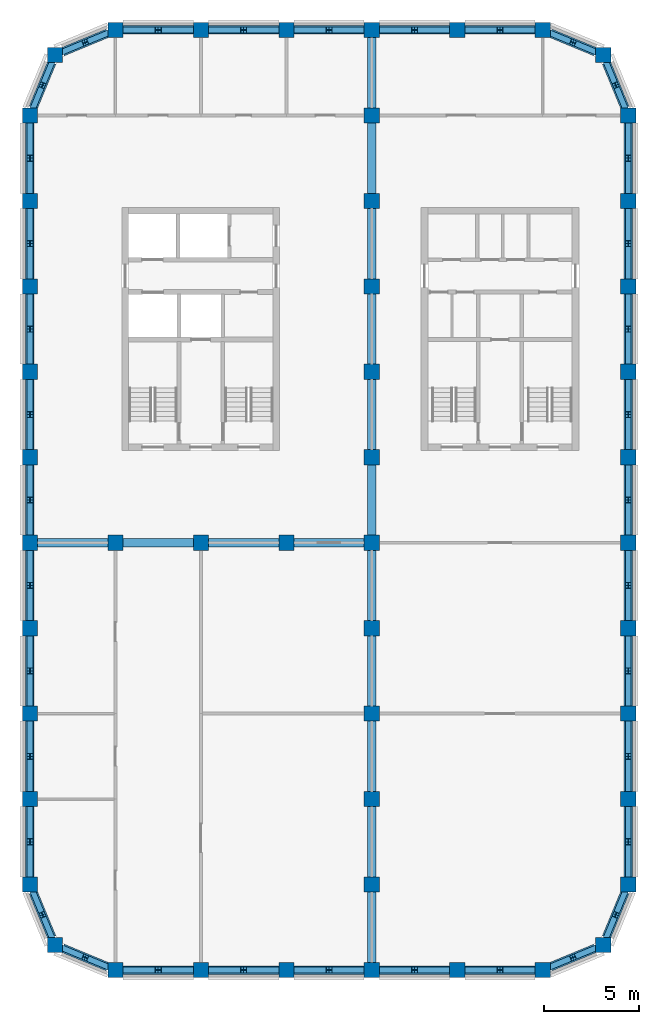
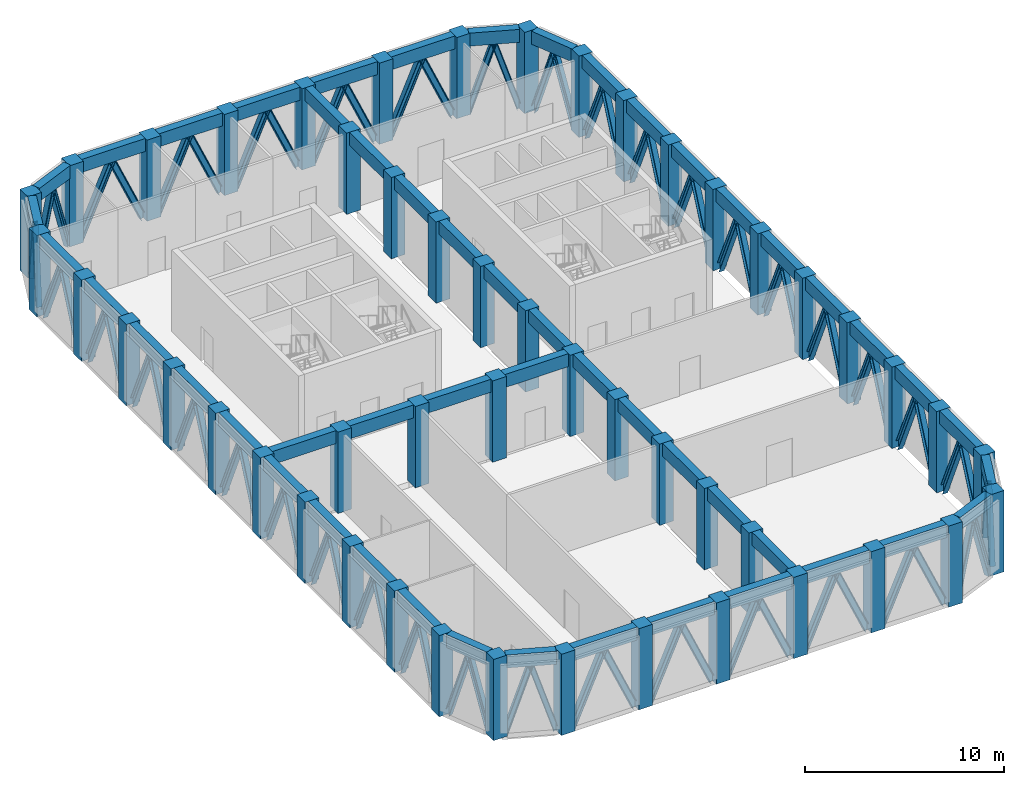
# One storey, part 1 of 7: 72 members, 51 beams, 49 columns.
"""IFC4 building model written with IfcOpenShell, lengths in metres."""

from ifc_helpers import new_model, si_unit, direction, frame, origin, origin_2d, place, context, subcontext, project, spatial, rectangle, i_section, extrude, material, material_profile, profile_set, type_object, element, save


model = new_model("IFC4")

# Units and contexts
model_context = context("Model", 3, precision=1e-05, world=origin(), true_north=direction((0.0, 1.0)))
body_context = subcontext(model_context, "Body", "Model", "MODEL_VIEW")
ifc_project = project(units=[si_unit("LENGTHUNIT", "METRE"), si_unit("AREAUNIT", "SQUARE_METRE"), si_unit("VOLUMEUNIT", "CUBIC_METRE"), si_unit("PLANEANGLEUNIT", "RADIAN"), si_unit("MASSUNIT", "GRAM", prefix="KILO")], contexts=[model_context])

# Site, building, storey
site_placement = place(None, origin())
site = spatial("IfcSite", under=ifc_project, at=site_placement, CompositionType="ELEMENT")
building_placement = place(site_placement, origin())
building = spatial("IfcBuilding", under=site, at=building_placement, Name="Girih Gate Residences", CompositionType="ELEMENT")
storey_placement = place(building_placement, frame((0.0, 0.0, 201.89990234375)))
storey = spatial("IfcBuildingStorey", under=building, at=storey_placement, Name="L56", CompositionType="ELEMENT", Elevation=201.89990234375)

# Columns
ifc_material_1 = material(Name="Concrete C60/75", Category="concrete")
ifc_material_profile_1 = material_profile(ifc_material_1, rectangle(XDim=0.800048828125, YDim=0.800048828125, at=origin_2d()))
ifc_profile_set_1 = profile_set([ifc_material_profile_1], Name="Concrete C60/75")
column_type = type_object("IfcColumnType", Name="Pier RC 800x800 Concrete C60/75", PredefinedType="COLUMN", material=ifc_profile_set_1)
for number, where, z_axis, x_axis, name in (
    (1, (4.5, 0.0, 0.0), (0.0, 0.0, 1.0), (1.0, 0.0, 0.0), "Pier P2A L56"),
    (2, (9.0, 0.0, 0.0), (0.0, 0.0, 1.0), (1.0, 0.0, 0.0), "Pier P3A L56"),
    (3, (13.5, 0.0, 0.0), (0.0, 0.0, 1.0), (1.0, 0.0, 0.0), "Pier P4A L56"),
    (4, (18.0, 0.0, 0.0), (0.0, 0.0, 1.0), (1.0, 0.0, 0.0), "Pier P5A L56"),
    (5, (22.5, 0.0, 0.0), (0.0, 0.0, 1.0), (1.0, 0.0, 0.0), "Pier P6A L56"),
    (6, (27.0, 0.0, 0.0), (0.0, 0.0, 1.0), (1.0, 0.0, 0.0), "Pier P7A L56"),
    (7, (1.318115234375, 1.318115234375, 0.0), (0.0, 0.0, 1.0), (1.0, 0.0, 0.0), "Pier P1ANE L56"),
    (8, (30.181884765625, 1.318115234375, 0.0), (0.0, 0.0, 1.0), (1.0, 0.0, 0.0), "Pier P8ANW L56"),
    (9, (0.0, 4.5, 0.0), (0.0, 0.0, 1.0), (1.0, 0.0, 0.0), "Pier P1B L56"),
    (10, (18.0, 4.5, 0.0), (0.0, 0.0, 1.0), (1.0, 0.0, 0.0), "Pier P5B L56"),
    (11, (31.5, 4.5, 0.0), (0.0, 0.0, 1.0), (1.0, 0.0, 0.0), "Pier P8B L56"),
    (12, (0.0, 9.0, 0.0), (0.0, 0.0, 1.0), (1.0, 0.0, 0.0), "Pier P1C L56"),
    (13, (18.0, 9.0, 0.0), (0.0, 0.0, 1.0), (1.0, 0.0, 0.0), "Pier P5C L56"),
    (14, (31.5, 9.0, 0.0), (0.0, 0.0, 1.0), (1.0, 0.0, 0.0), "Pier P8C L56"),
    (15, (0.0, 13.5, 0.0), (0.0, 0.0, 1.0), (1.0, 0.0, 0.0), "Pier P1D L56"),
    (16, (18.0, 13.5, 0.0), (0.0, 0.0, 1.0), (1.0, 0.0, 0.0), "Pier P5D L56"),
    (17, (31.5, 13.5, 0.0), (0.0, 0.0, 1.0), (1.0, 0.0, 0.0), "Pier P8D L56"),
    (18, (0.0, 18.0, 0.0), (0.0, 0.0, 1.0), (1.0, 0.0, 0.0), "Pier P1E L56"),
    (19, (18.0, 18.0, 0.0), (0.0, 0.0, 1.0), (1.0, 0.0, 0.0), "Pier P5E L56"),
    (20, (31.5, 18.0, 0.0), (0.0, 0.0, 1.0), (1.0, 0.0, 0.0), "Pier P8E L56"),
    (21, (0.0, 22.5, 0.0), (0.0, 0.0, 1.0), (1.0, 0.0, 0.0), "Pier P1F L56"),
    (22, (4.5, 22.5, 0.0), (0.0, 0.0, 1.0), (1.0, 0.0, 0.0), "Pier P2F L56"),
    (23, (9.0, 22.5, 0.0), (0.0, 0.0, 1.0), (1.0, 0.0, 0.0), "Pier P3F L56"),
    (24, (13.5, 22.5, 0.0), (0.0, 0.0, 1.0), (1.0, 0.0, 0.0), "Pier P4F L56"),
    (25, (18.0, 22.5, 0.0), (0.0, 0.0, 1.0), (1.0, 0.0, 0.0), "Pier P5F L56"),
    (26, (31.5, 22.5, 0.0), (0.0, 0.0, 1.0), (1.0, 0.0, 0.0), "Pier P8F L56"),
    (27, (0.0, 27.0, 0.0), (0.0, 0.0, 1.0), (1.0, 0.0, 0.0), "Pier P1G L56"),
    (28, (18.0, 27.0, 0.0), (0.0, 0.0, 1.0), (1.0, 0.0, 0.0), "Pier P5G L56"),
    (29, (31.5, 27.0, 0.0), (0.0, 0.0, 1.0), (1.0, 0.0, 0.0), "Pier P8G L56"),
    (30, (0.0, 31.5, 0.0), (0.0, 0.0, 1.0), (1.0, 0.0, 0.0), "Pier P1H L56"),
    (31, (18.0, 31.5, 0.0), (0.0, 0.0, 1.0), (1.0, 0.0, 0.0), "Pier P5H L56"),
    (32, (31.5, 31.5, 0.0), (0.0, 0.0, 1.0), (1.0, 0.0, 0.0), "Pier P8H L56"),
    (33, (0.0, 36.0, 0.0), (0.0, 0.0, 1.0), (1.0, 0.0, 0.0), "Pier P1I L56"),
    (34, (18.0, 36.0, 0.0), (0.0, 0.0, 1.0), (1.0, 0.0, 0.0), "Pier P5I L56"),
    (35, (31.5, 36.0, 0.0), (0.0, 0.0, 1.0), (1.0, 0.0, 0.0), "Pier P8I L56"),
    (36, (0.0, 40.5, 0.0), (0.0, 0.0, 1.0), (1.0, 0.0, 0.0), "Pier P1J L56"),
    (37, (18.0, 40.5, 0.0), (0.0, 0.0, 1.0), (1.0, 0.0, 0.0), "Pier P5J L56"),
    (38, (31.5, 40.5, 0.0), (0.0, 0.0, 1.0), (1.0, 0.0, 0.0), "Pier P8J L56"),
    (39, (0.0, 45.0, 0.0), (0.0, 0.0, 1.0), (1.0, 0.0, 0.0), "Pier P1K L56"),
    (40, (18.0, 45.0, 0.0), (0.0, 0.0, 1.0), (1.0, 0.0, 0.0), "Pier P5K L56"),
    (41, (31.5, 45.0, 0.0), (0.0, 0.0, 1.0), (1.0, 0.0, 0.0), "Pier P8K L56"),
    (42, (1.318115234375, 48.181884765625, 0.0), (0.0, 0.0, 1.0), (1.0, 0.0, 0.0), "Pier P1LSE L56"),
    (43, (30.181884765625, 48.181884765625, 0.0), (0.0, 0.0, 1.0), (1.0, 0.0, 0.0), "Pier P8LSW L56"),
    (44, (4.5, 49.5, 0.0), (0.0, 0.0, 1.0), (1.0, 0.0, 0.0), "Pier P2L L56"),
    (45, (9.0, 49.5, 0.0), (0.0, 0.0, 1.0), (1.0, 0.0, 0.0), "Pier P3L L56"),
    (46, (13.5, 49.5, 0.0), (0.0, 0.0, 1.0), (1.0, 0.0, 0.0), "Pier P4L L56"),
    (47, (18.0, 49.5, 0.0), (0.0, 0.0, 1.0), (1.0, 0.0, 0.0), "Pier P5L L56"),
    (48, (22.5, 49.5, 0.0), (0.0, 0.0, 1.0), (1.0, 0.0, 0.0), "Pier P6L L56"),
    (49, (27.0, 49.5, 0.0), (0.0, 0.0, 1.0), (1.0, 0.0, 0.0), "Pier P7L L56"),
):
    element("IfcColumn", number, at=place(storey_placement, frame(where, z_axis=z_axis, x_axis=x_axis)), inside=storey, type_object=column_type, Name=name, PredefinedType="COLUMN", context=body_context, shape_type="SweptSolid", body=[
        extrude(rectangle(XDim=0.800048828125, YDim=0.800048828125, at=origin_2d()), origin(), (0.0, 0.0, 1.0), 4.9951171875),
    ])

# Members
ifc_material_2 = material(Name="Steel S460", Category="steel")
ifc_material_profile_2 = material_profile(ifc_material_2, i_section(OverallWidth=0.300048828125, OverallDepth=0.300048828125, WebThickness=0.010986328125, FlangeThickness=0.01904296875, FilletRadius=0.027099609375, at=origin_2d()))
ifc_profile_set_2 = profile_set([ifc_material_profile_2], Name="Steel S460")
member_type_1 = type_object("IfcMemberType", Name="Belt truss diagonal HE 300 B Steel S460", PredefinedType="BRACE", material=ifc_profile_set_2)
member_1_placement = place(storey_placement, frame((27.372314453125, 0.154296875, 0.0), z_axis=(0.277141777379, 0.114754017196, 0.953951754948), x_axis=(-0.382564297979, 0.923928870591, 0.0)))
element("IfcMember", 50, at=member_1_placement, inside=storey, type_object=member_type_1, Name="Belt truss BT5 L56 SE0270_0000.0-1", PredefinedType="BRACE", context=body_context, shape_type="SweptSolid", body=[
    extrude(i_section(OverallWidth=0.300048828125, OverallDepth=0.300048828125, WebThickness=0.010986328125, FlangeThickness=0.01904296875, FilletRadius=0.027099609375, at=origin_2d()), origin(), (0.0, 0.0, 1.0), 4.3974609375),
])
for number, where, z_axis, x_axis, name in (
    (51, (29.809814453125, 1.163818359375, 0.0), (-0.277140011348, -0.114808802778, 0.953945676081), (0.382722275359, -0.92386344226, 0.0), "Belt truss BT5 L56 SE0270_0000.0-2"),
    (52, (30.336181640625, 1.690185546875, 0.0), (0.114808802778, 0.277140011348, 0.953945676081), (-0.92386344226, 0.382722275359, 0.0), "Belt truss BT5 L56 SE0302_0013.0-1"),
):
    element("IfcMember", number, at=place(storey_placement, frame(where, z_axis=z_axis, x_axis=x_axis)), inside=storey, type_object=member_type_1, Name=name, PredefinedType="BRACE", context=body_context, shape_type="SweptSolid", body=[
        extrude(i_section(OverallWidth=0.300048828125, OverallDepth=0.300048828125, WebThickness=0.010986328125, FlangeThickness=0.01904296875, FilletRadius=0.027099609375, at=origin_2d()), origin(), (0.0, 0.0, 1.0), 4.397705078125),
    ])
for number, where, z_axis, x_axis, name in (
    (53, (31.345703125, 4.127685546875, 0.0), (-0.114754017196, -0.277141777379, 0.953951754948), (0.923928870591, -0.382564297979, 0.0), "Belt truss BT5 L56 SE0302_0013.0-2"),
    (54, (31.345703125, 45.372314453125, 0.0), (-0.114754017196, 0.277141777379, 0.953951754948), (-0.923928870591, -0.382564297979, 0.0), "Belt truss BT5 L56 NE0315_0450.0-1"),
):
    element("IfcMember", number, at=place(storey_placement, frame(where, z_axis=z_axis, x_axis=x_axis)), inside=storey, type_object=member_type_1, Name=name, PredefinedType="BRACE", context=body_context, shape_type="SweptSolid", body=[
        extrude(i_section(OverallWidth=0.300048828125, OverallDepth=0.300048828125, WebThickness=0.010986328125, FlangeThickness=0.01904296875, FilletRadius=0.027099609375, at=origin_2d()), origin(), (0.0, 0.0, 1.0), 4.3974609375),
    ])
for number, where, z_axis, x_axis, name in (
    (55, (30.336181640625, 47.809814453125, 0.0), (0.114808802778, -0.277140011348, 0.953945676081), (0.92386344226, 0.382722275359, 0.0), "Belt truss BT5 L56 NE0315_0450.0-2"),
    (56, (29.809814453125, 48.336181640625, 0.0), (-0.277140011348, 0.114808802778, 0.953945676081), (-0.382722275359, -0.92386344226, 0.0), "Belt truss BT5 L56 NE0302_0482.0-1"),
):
    element("IfcMember", number, at=place(storey_placement, frame(where, z_axis=z_axis, x_axis=x_axis)), inside=storey, type_object=member_type_1, Name=name, PredefinedType="BRACE", context=body_context, shape_type="SweptSolid", body=[
        extrude(i_section(OverallWidth=0.300048828125, OverallDepth=0.300048828125, WebThickness=0.010986328125, FlangeThickness=0.01904296875, FilletRadius=0.027099609375, at=origin_2d()), origin(), (0.0, 0.0, 1.0), 4.397705078125),
    ])
for number, where, z_axis, x_axis, name in (
    (57, (27.372314453125, 49.345703125, 0.0), (0.277141777379, -0.114754017196, 0.953951754948), (0.382564297979, 0.923928870591, 0.0), "Belt truss BT5 L56 NE0302_0482.0-2"),
    (58, (4.127685546875, 49.345703125, 0.0), (-0.277141777379, -0.114754017196, 0.953951754948), (0.382564297979, -0.923928870591, 0.0), "Belt truss BT5 L56 NW0045_0495.0-1"),
):
    element("IfcMember", number, at=place(storey_placement, frame(where, z_axis=z_axis, x_axis=x_axis)), inside=storey, type_object=member_type_1, Name=name, PredefinedType="BRACE", context=body_context, shape_type="SweptSolid", body=[
        extrude(i_section(OverallWidth=0.300048828125, OverallDepth=0.300048828125, WebThickness=0.010986328125, FlangeThickness=0.01904296875, FilletRadius=0.027099609375, at=origin_2d()), origin(), (0.0, 0.0, 1.0), 4.3974609375),
    ])
for number, where, z_axis, x_axis, name in (
    (59, (1.690185546875, 48.336181640625, 0.0), (0.277140011348, 0.114808802778, 0.953945676081), (-0.382722275359, 0.92386344226, 0.0), "Belt truss BT5 L56 NW0045_0495.0-2"),
    (60, (1.163818359375, 47.809814453125, 0.0), (-0.114808802778, -0.277140011348, 0.953945676081), (0.92386344226, -0.382722275359, 0.0), "Belt truss BT5 L56 NW0013_0482.0-1"),
):
    element("IfcMember", number, at=place(storey_placement, frame(where, z_axis=z_axis, x_axis=x_axis)), inside=storey, type_object=member_type_1, Name=name, PredefinedType="BRACE", context=body_context, shape_type="SweptSolid", body=[
        extrude(i_section(OverallWidth=0.300048828125, OverallDepth=0.300048828125, WebThickness=0.010986328125, FlangeThickness=0.01904296875, FilletRadius=0.027099609375, at=origin_2d()), origin(), (0.0, 0.0, 1.0), 4.397705078125),
    ])
for number, where, z_axis, x_axis, name in (
    (61, (0.154296875, 45.372314453125, 0.0), (0.114754017196, 0.277141777379, 0.953951754948), (-0.923928870591, 0.382564297979, 0.0), "Belt truss BT5 L56 NW0013_0482.0-2"),
    (62, (0.154296875, 4.127685546875, 0.0), (0.114754017196, -0.277141777379, 0.953951754948), (0.923928870591, 0.382564297979, 0.0), "Belt truss BT5 L56 SW0000_0045.0-1"),
):
    element("IfcMember", number, at=place(storey_placement, frame(where, z_axis=z_axis, x_axis=x_axis)), inside=storey, type_object=member_type_1, Name=name, PredefinedType="BRACE", context=body_context, shape_type="SweptSolid", body=[
        extrude(i_section(OverallWidth=0.300048828125, OverallDepth=0.300048828125, WebThickness=0.010986328125, FlangeThickness=0.01904296875, FilletRadius=0.027099609375, at=origin_2d()), origin(), (0.0, 0.0, 1.0), 4.3974609375),
    ])
for number, where, z_axis, x_axis, name in (
    (63, (1.163818359375, 1.690185546875, 0.0), (-0.114808802778, 0.277140011348, 0.953945676081), (-0.92386344226, -0.382722275359, 0.0), "Belt truss BT5 L56 SW0000_0045.0-2"),
    (64, (1.690185546875, 1.163818359375, 0.0), (0.277140011348, -0.114808802778, 0.953945676081), (0.382722275359, 0.92386344226, 0.0), "Belt truss BT5 L56 SW0013_0013.0-1"),
):
    element("IfcMember", number, at=place(storey_placement, frame(where, z_axis=z_axis, x_axis=x_axis)), inside=storey, type_object=member_type_1, Name=name, PredefinedType="BRACE", context=body_context, shape_type="SweptSolid", body=[
        extrude(i_section(OverallWidth=0.300048828125, OverallDepth=0.300048828125, WebThickness=0.010986328125, FlangeThickness=0.01904296875, FilletRadius=0.027099609375, at=origin_2d()), origin(), (0.0, 0.0, 1.0), 4.397705078125),
    ])
member_2_placement = place(storey_placement, frame((4.127685546875, 0.154296875, 0.0), z_axis=(-0.277141777379, 0.114754017196, 0.953951754948), x_axis=(-0.382564297979, -0.923928870591, 0.0)))
element("IfcMember", 65, at=member_2_placement, inside=storey, type_object=member_type_1, Name="Belt truss BT5 L56 SW0013_0013.0-2", PredefinedType="BRACE", context=body_context, shape_type="SweptSolid", body=[
    extrude(i_section(OverallWidth=0.300048828125, OverallDepth=0.300048828125, WebThickness=0.010986328125, FlangeThickness=0.01904296875, FilletRadius=0.027099609375, at=origin_2d()), origin(), (0.0, 0.0, 1.0), 4.3974609375),
])
ifc_material_profile_3 = material_profile(ifc_material_2, i_section(OverallWidth=0.300048828125, OverallDepth=0.360107421875, WebThickness=0.012451171875, FlangeThickness=0.0224609375, FilletRadius=0.027099609375, at=origin_2d()))
ifc_profile_set_3 = profile_set([ifc_material_profile_3], Name="Steel S460")
member_type_2 = type_object("IfcMemberType", Name="Belt truss diagonal HE 360 B Steel S460", PredefinedType="BRACE", material=ifc_profile_set_3)
for number, where, z_axis, x_axis, name in (
    (66, (31.5, 4.89990234375, 0.0), (0.0, 0.403518282473, 0.914971581914), (-1.0, 0.0, 0.0), "Belt truss BT4 L56 E0315_0045.0-1"),
    (67, (31.5, 8.60009765625, 0.0), (0.0, -0.403518282473, 0.914971581914), (1.0, 0.0, 0.0), "Belt truss BT4 L56 E0315_0045.0-2"),
    (68, (31.5, 9.39990234375, 0.0), (0.0, 0.403518282473, 0.914971581914), (-1.0, 0.0, 0.0), "Belt truss BT4 L56 E0315_0045.1-1"),
    (69, (31.5, 13.10009765625, 0.0), (0.0, -0.403518282473, 0.914971581914), (1.0, 0.0, 0.0), "Belt truss BT4 L56 E0315_0045.1-2"),
    (70, (31.5, 13.89990234375, 0.0), (0.0, 0.403518282473, 0.914971581914), (-1.0, 0.0, 0.0), "Belt truss BT4 L56 E0315_0045.2-1"),
    (71, (31.5, 17.60009765625, 0.0), (0.0, -0.403518282473, 0.914971581914), (1.0, 0.0, 0.0), "Belt truss BT4 L56 E0315_0045.2-2"),
    (72, (31.5, 18.39990234375, 0.0), (0.0, 0.403518282473, 0.914971581914), (-1.0, 0.0, 0.0), "Belt truss BT4 L56 E0315_0045.3-1"),
    (73, (31.5, 22.10009765625, 0.0), (0.0, -0.403518282473, 0.914971581914), (1.0, 0.0, 0.0), "Belt truss BT4 L56 E0315_0045.3-2"),
    (74, (31.5, 22.89990234375, 0.0), (0.0, 0.403518282473, 0.914971581914), (-1.0, 0.0, 0.0), "Belt truss BT4 L56 E0315_0045.4-1"),
    (75, (31.5, 26.60009765625, 0.0), (0.0, -0.403518282473, 0.914971581914), (1.0, 0.0, 0.0), "Belt truss BT4 L56 E0315_0045.4-2"),
    (76, (31.5, 27.39990234375, 0.0), (0.0, 0.403518282473, 0.914971581914), (-1.0, 0.0, 0.0), "Belt truss BT4 L56 E0315_0045.5-1"),
    (77, (31.5, 31.10009765625, 0.0), (0.0, -0.403518282473, 0.914971581914), (1.0, 0.0, 0.0), "Belt truss BT4 L56 E0315_0045.5-2"),
    (78, (31.5, 31.89990234375, 0.0), (0.0, 0.403518282473, 0.914971581914), (-1.0, 0.0, 0.0), "Belt truss BT4 L56 E0315_0045.6-1"),
    (79, (31.5, 35.60009765625, 0.0), (0.0, -0.403518282473, 0.914971581914), (1.0, 0.0, 0.0), "Belt truss BT4 L56 E0315_0045.6-2"),
    (80, (31.5, 36.39990234375, 0.0), (0.0, 0.403518282473, 0.914971581914), (-1.0, 0.0, 0.0), "Belt truss BT4 L56 E0315_0045.7-1"),
    (81, (31.5, 40.10009765625, 0.0), (0.0, -0.403518282473, 0.914971581914), (1.0, 0.0, 0.0), "Belt truss BT4 L56 E0315_0045.7-2"),
    (82, (31.5, 40.89990234375, 0.0), (0.0, 0.403518282473, 0.914971581914), (-1.0, 0.0, 0.0), "Belt truss BT4 L56 E0315_0045.8-1"),
    (83, (31.5, 44.60009765625, 0.0), (0.0, -0.403518282473, 0.914971581914), (1.0, 0.0, 0.0), "Belt truss BT4 L56 E0315_0045.8-2"),
    (84, (26.60009765625, 49.5, 0.0), (-0.403518282473, 0.0, 0.914971581914), (0.0, -1.0, 0.0), "Belt truss BT4 L56 N0270_0495.0-1"),
    (85, (22.89990234375, 49.5, 0.0), (0.403518282473, 0.0, 0.914971581914), (0.0, 1.0, 0.0), "Belt truss BT4 L56 N0270_0495.0-2"),
    (86, (22.10009765625, 49.5, 0.0), (-0.403518282473, 0.0, 0.914971581914), (0.0, -1.0, 0.0), "Belt truss BT4 L56 N0270_0495.1-1"),
    (87, (18.39990234375, 49.5, 0.0), (0.403518282473, 0.0, 0.914971581914), (0.0, 1.0, 0.0), "Belt truss BT4 L56 N0270_0495.1-2"),
    (88, (17.60009765625, 49.5, 0.0), (-0.403518282473, 0.0, 0.914971581914), (0.0, -1.0, 0.0), "Belt truss BT4 L56 N0270_0495.2-1"),
    (89, (13.89990234375, 49.5, 0.0), (0.403518282473, 0.0, 0.914971581914), (0.0, 1.0, 0.0), "Belt truss BT4 L56 N0270_0495.2-2"),
    (90, (13.10009765625, 49.5, 0.0), (-0.403518282473, 0.0, 0.914971581914), (0.0, -1.0, 0.0), "Belt truss BT4 L56 N0270_0495.3-1"),
    (91, (9.39990234375, 49.5, 0.0), (0.403518282473, 0.0, 0.914971581914), (0.0, 1.0, 0.0), "Belt truss BT4 L56 N0270_0495.3-2"),
    (92, (8.60009765625, 49.5, 0.0), (-0.403518282473, 0.0, 0.914971581914), (0.0, -1.0, 0.0), "Belt truss BT4 L56 N0270_0495.4-1"),
    (93, (4.89990234375, 49.5, 0.0), (0.403518282473, 0.0, 0.914971581914), (0.0, 1.0, 0.0), "Belt truss BT4 L56 N0270_0495.4-2"),
    (94, (0.0, 44.60009765625, 0.0), (0.0, -0.403518282473, 0.914971581914), (1.0, 0.0, 0.0), "Belt truss BT4 L56 W0000_0450.0-1"),
    (95, (0.0, 40.89990234375, 0.0), (0.0, 0.403518282473, 0.914971581914), (-1.0, 0.0, 0.0), "Belt truss BT4 L56 W0000_0450.0-2"),
    (96, (0.0, 40.10009765625, 0.0), (0.0, -0.403518282473, 0.914971581914), (1.0, 0.0, 0.0), "Belt truss BT4 L56 W0000_0450.1-1"),
    (97, (0.0, 36.39990234375, 0.0), (0.0, 0.403518282473, 0.914971581914), (-1.0, 0.0, 0.0), "Belt truss BT4 L56 W0000_0450.1-2"),
    (98, (0.0, 35.60009765625, 0.0), (0.0, -0.403518282473, 0.914971581914), (1.0, 0.0, 0.0), "Belt truss BT4 L56 W0000_0450.2-1"),
    (99, (0.0, 31.89990234375, 0.0), (0.0, 0.403518282473, 0.914971581914), (-1.0, 0.0, 0.0), "Belt truss BT4 L56 W0000_0450.2-2"),
    (100, (0.0, 31.10009765625, 0.0), (0.0, -0.403518282473, 0.914971581914), (1.0, 0.0, 0.0), "Belt truss BT4 L56 W0000_0450.3-1"),
    (101, (0.0, 27.39990234375, 0.0), (0.0, 0.403518282473, 0.914971581914), (-1.0, 0.0, 0.0), "Belt truss BT4 L56 W0000_0450.3-2"),
    (102, (0.0, 26.60009765625, 0.0), (0.0, -0.403518282473, 0.914971581914), (1.0, 0.0, 0.0), "Belt truss BT4 L56 W0000_0450.4-1"),
    (103, (0.0, 22.89990234375, 0.0), (0.0, 0.403518282473, 0.914971581914), (-1.0, 0.0, 0.0), "Belt truss BT4 L56 W0000_0450.4-2"),
    (104, (0.0, 22.10009765625, 0.0), (0.0, -0.403518282473, 0.914971581914), (1.0, 0.0, 0.0), "Belt truss BT4 L56 W0000_0450.5-1"),
    (105, (0.0, 18.39990234375, 0.0), (0.0, 0.403518282473, 0.914971581914), (-1.0, 0.0, 0.0), "Belt truss BT4 L56 W0000_0450.5-2"),
    (106, (0.0, 17.60009765625, 0.0), (0.0, -0.403518282473, 0.914971581914), (1.0, 0.0, 0.0), "Belt truss BT4 L56 W0000_0450.6-1"),
    (107, (0.0, 13.89990234375, 0.0), (0.0, 0.403518282473, 0.914971581914), (-1.0, 0.0, 0.0), "Belt truss BT4 L56 W0000_0450.6-2"),
    (108, (0.0, 13.10009765625, 0.0), (0.0, -0.403518282473, 0.914971581914), (1.0, 0.0, 0.0), "Belt truss BT4 L56 W0000_0450.7-1"),
    (109, (0.0, 9.39990234375, 0.0), (0.0, 0.403518282473, 0.914971581914), (-1.0, 0.0, 0.0), "Belt truss BT4 L56 W0000_0450.7-2"),
    (110, (0.0, 8.60009765625, 0.0), (0.0, -0.403518282473, 0.914971581914), (1.0, 0.0, 0.0), "Belt truss BT4 L56 W0000_0450.8-1"),
    (111, (0.0, 4.89990234375, 0.0), (0.0, 0.403518282473, 0.914971581914), (-1.0, 0.0, 0.0), "Belt truss BT4 L56 W0000_0450.8-2"),
    (112, (4.89990234375, 0.0, 0.0), (0.403518282473, 0.0, 0.914971581914), (0.0, 1.0, 0.0), "Belt truss BT4 L56 S0045_0000.0-1"),
    (113, (8.60009765625, 0.0, 0.0), (-0.403518282473, 0.0, 0.914971581914), (0.0, -1.0, 0.0), "Belt truss BT4 L56 S0045_0000.0-2"),
    (114, (9.39990234375, 0.0, 0.0), (0.403518282473, 0.0, 0.914971581914), (0.0, 1.0, 0.0), "Belt truss BT4 L56 S0045_0000.1-1"),
    (115, (13.10009765625, 0.0, 0.0), (-0.403518282473, 0.0, 0.914971581914), (0.0, -1.0, 0.0), "Belt truss BT4 L56 S0045_0000.1-2"),
    (116, (13.89990234375, 0.0, 0.0), (0.403518282473, 0.0, 0.914971581914), (0.0, 1.0, 0.0), "Belt truss BT4 L56 S0045_0000.2-1"),
    (117, (17.60009765625, 0.0, 0.0), (-0.403518282473, 0.0, 0.914971581914), (0.0, -1.0, 0.0), "Belt truss BT4 L56 S0045_0000.2-2"),
    (118, (18.39990234375, 0.0, 0.0), (0.403518282473, 0.0, 0.914971581914), (0.0, 1.0, 0.0), "Belt truss BT4 L56 S0045_0000.3-1"),
    (119, (22.10009765625, 0.0, 0.0), (-0.403518282473, 0.0, 0.914971581914), (0.0, -1.0, 0.0), "Belt truss BT4 L56 S0045_0000.3-2"),
    (120, (22.89990234375, 0.0, 0.0), (0.403518282473, 0.0, 0.914971581914), (0.0, 1.0, 0.0), "Belt truss BT4 L56 S0045_0000.4-1"),
    (121, (26.60009765625, 0.0, 0.0), (-0.403518282473, 0.0, 0.914971581914), (0.0, -1.0, 0.0), "Belt truss BT4 L56 S0045_0000.4-2"),
):
    element("IfcMember", number, at=place(storey_placement, frame(where, z_axis=z_axis, x_axis=x_axis)), inside=storey, type_object=member_type_2, Name=name, PredefinedType="BRACE", context=body_context, shape_type="SweptSolid", body=[
        extrude(i_section(OverallWidth=0.300048828125, OverallDepth=0.360107421875, WebThickness=0.012451171875, FlangeThickness=0.0224609375, FilletRadius=0.027099609375, at=origin_2d()), origin(), (0.0, 0.0, 1.0), 4.5849609375),
    ])

# Beams
ifc_material_profile_4 = material_profile(ifc_material_1, rectangle(XDim=0.449951171875, YDim=0.800048828125, at=origin_2d()))
ifc_profile_set_4 = profile_set([ifc_material_profile_4], Name="Concrete C60/75")
beam_type = type_object("IfcBeamType", Name="Spandrel girder RC 450x800 Concrete C60/75", PredefinedType="BEAM", material=ifc_profile_set_4)
for number, where, z_axis, x_axis, name in (
    (122, (27.39990234375, 0.165771484375, 4.59521484375), (0.923895659062, 0.382644497107, 0.0), (-0.382644497107, 0.923895659062, 0.0), "Spandrel girder SP-P7A-P8ANW L56"),
    (123, (30.34765625, 1.718017578125, 4.59521484375), (0.382644497107, 0.923895659062, 0.0), (-0.923895659062, 0.382644497107, 0.0), "Spandrel girder SP-P8ANW-P8B L56"),
):
    element("IfcBeam", number, at=place(storey_placement, frame(where, z_axis=z_axis, x_axis=x_axis)), inside=storey, type_object=beam_type, Name=name, PredefinedType="BEAM", context=body_context, shape_type="SweptSolid", body=[
        extrude(rectangle(XDim=0.449951171875, YDim=0.800048828125, at=origin_2d()), origin(), (0.0, 0.0, 1.0), 2.578369140625),
    ])
for number, where, z_axis, x_axis, name in (
    (124, (31.5, 4.89990234375, 4.59521484375), (0.0, 1.0, 0.0), (-1.0, 0.0, 0.0), "Spandrel girder SP-P8B-P8C L56"),
    (125, (31.5, 9.39990234375, 4.59521484375), (0.0, 1.0, 0.0), (-1.0, 0.0, 0.0), "Spandrel girder SP-P8C-P8D L56"),
    (126, (31.5, 13.89990234375, 4.59521484375), (0.0, 1.0, 0.0), (-1.0, 0.0, 0.0), "Spandrel girder SP-P8D-P8E L56"),
    (127, (31.5, 18.39990234375, 4.59521484375), (0.0, 1.0, 0.0), (-1.0, 0.0, 0.0), "Spandrel girder SP-P8E-P8F L56"),
    (128, (31.5, 22.89990234375, 4.59521484375), (0.0, 1.0, 0.0), (-1.0, 0.0, 0.0), "Spandrel girder SP-P8F-P8G L56"),
    (129, (31.5, 27.39990234375, 4.59521484375), (0.0, 1.0, 0.0), (-1.0, 0.0, 0.0), "Spandrel girder SP-P8G-P8H L56"),
    (130, (31.5, 31.89990234375, 4.59521484375), (0.0, 1.0, 0.0), (-1.0, 0.0, 0.0), "Spandrel girder SP-P8H-P8I L56"),
    (131, (31.5, 36.39990234375, 4.59521484375), (0.0, 1.0, 0.0), (-1.0, 0.0, 0.0), "Spandrel girder SP-P8I-P8J L56"),
    (132, (31.5, 40.89990234375, 4.59521484375), (0.0, 1.0, 0.0), (-1.0, 0.0, 0.0), "Spandrel girder SP-P8J-P8K L56"),
):
    element("IfcBeam", number, at=place(storey_placement, frame(where, z_axis=z_axis, x_axis=x_axis)), inside=storey, type_object=beam_type, Name=name, PredefinedType="BEAM", context=body_context, shape_type="SweptSolid", body=[
        extrude(rectangle(XDim=0.449951171875, YDim=0.800048828125, at=origin_2d()), origin(), (0.0, 0.0, 1.0), 3.7001953125),
    ])
for number, where, z_axis, x_axis, name in (
    (133, (31.334228515625, 45.39990234375, 4.59521484375), (-0.382644497107, 0.923895659062, 0.0), (-0.923895659062, -0.382644497107, 0.0), "Spandrel girder SP-P8K-P8LSW L56"),
    (134, (29.781982421875, 48.34765625, 4.59521484375), (-0.923895659062, 0.382644497107, 0.0), (-0.382644497107, -0.923895659062, 0.0), "Spandrel girder SP-P8LSW-P7L L56"),
):
    element("IfcBeam", number, at=place(storey_placement, frame(where, z_axis=z_axis, x_axis=x_axis)), inside=storey, type_object=beam_type, Name=name, PredefinedType="BEAM", context=body_context, shape_type="SweptSolid", body=[
        extrude(rectangle(XDim=0.449951171875, YDim=0.800048828125, at=origin_2d()), origin(), (0.0, 0.0, 1.0), 2.578369140625),
    ])
for number, where, z_axis, x_axis, name in (
    (135, (26.60009765625, 49.5, 4.59521484375), (-1.0, 0.0, 0.0), (0.0, -1.0, 0.0), "Spandrel girder SP-P7L-P6L L56"),
    (136, (22.10009765625, 49.5, 4.59521484375), (-1.0, 0.0, 0.0), (0.0, -1.0, 0.0), "Spandrel girder SP-P6L-P5L L56"),
    (137, (17.60009765625, 49.5, 4.59521484375), (-1.0, 0.0, 0.0), (0.0, -1.0, 0.0), "Spandrel girder SP-P5L-P4L L56"),
    (138, (13.10009765625, 49.5, 4.59521484375), (-1.0, 0.0, 0.0), (0.0, -1.0, 0.0), "Spandrel girder SP-P4L-P3L L56"),
    (139, (8.60009765625, 49.5, 4.59521484375), (-1.0, 0.0, 0.0), (0.0, -1.0, 0.0), "Spandrel girder SP-P3L-P2L L56"),
):
    element("IfcBeam", number, at=place(storey_placement, frame(where, z_axis=z_axis, x_axis=x_axis)), inside=storey, type_object=beam_type, Name=name, PredefinedType="BEAM", context=body_context, shape_type="SweptSolid", body=[
        extrude(rectangle(XDim=0.449951171875, YDim=0.800048828125, at=origin_2d()), origin(), (0.0, 0.0, 1.0), 3.7001953125),
    ])
for number, where, z_axis, x_axis, name in (
    (140, (4.10009765625, 49.334228515625, 4.59521484375), (-0.923895659062, -0.382644497107, 0.0), (0.382644497107, -0.923895659062, 0.0), "Spandrel girder SP-P2L-P1LSE L56"),
    (141, (1.15234375, 47.781982421875, 4.59521484375), (-0.382644497107, -0.923895659062, 0.0), (0.923895659062, -0.382644497107, 0.0), "Spandrel girder SP-P1LSE-P1K L56"),
):
    element("IfcBeam", number, at=place(storey_placement, frame(where, z_axis=z_axis, x_axis=x_axis)), inside=storey, type_object=beam_type, Name=name, PredefinedType="BEAM", context=body_context, shape_type="SweptSolid", body=[
        extrude(rectangle(XDim=0.449951171875, YDim=0.800048828125, at=origin_2d()), origin(), (0.0, 0.0, 1.0), 2.578369140625),
    ])
for number, where, z_axis, x_axis, name in (
    (142, (0.0, 44.60009765625, 4.59521484375), (0.0, -1.0, 0.0), (1.0, 0.0, 0.0), "Spandrel girder SP-P1K-P1J L56"),
    (143, (0.0, 40.10009765625, 4.59521484375), (0.0, -1.0, 0.0), (1.0, 0.0, 0.0), "Spandrel girder SP-P1J-P1I L56"),
    (144, (0.0, 35.60009765625, 4.59521484375), (0.0, -1.0, 0.0), (1.0, 0.0, 0.0), "Spandrel girder SP-P1I-P1H L56"),
    (145, (0.0, 31.10009765625, 4.59521484375), (0.0, -1.0, 0.0), (1.0, 0.0, 0.0), "Spandrel girder SP-P1H-P1G L56"),
    (146, (0.0, 26.60009765625, 4.59521484375), (0.0, -1.0, 0.0), (1.0, 0.0, 0.0), "Spandrel girder SP-P1G-P1F L56"),
    (147, (0.0, 22.10009765625, 4.59521484375), (0.0, -1.0, 0.0), (1.0, 0.0, 0.0), "Spandrel girder SP-P1F-P1E L56"),
    (148, (0.0, 17.60009765625, 4.59521484375), (0.0, -1.0, 0.0), (1.0, 0.0, 0.0), "Spandrel girder SP-P1E-P1D L56"),
    (149, (0.0, 13.10009765625, 4.59521484375), (0.0, -1.0, 0.0), (1.0, 0.0, 0.0), "Spandrel girder SP-P1D-P1C L56"),
    (150, (0.0, 8.60009765625, 4.59521484375), (0.0, -1.0, 0.0), (1.0, 0.0, 0.0), "Spandrel girder SP-P1C-P1B L56"),
):
    element("IfcBeam", number, at=place(storey_placement, frame(where, z_axis=z_axis, x_axis=x_axis)), inside=storey, type_object=beam_type, Name=name, PredefinedType="BEAM", context=body_context, shape_type="SweptSolid", body=[
        extrude(rectangle(XDim=0.449951171875, YDim=0.800048828125, at=origin_2d()), origin(), (0.0, 0.0, 1.0), 3.7001953125),
    ])
for number, where, z_axis, x_axis, name in (
    (151, (0.165771484375, 4.10009765625, 4.59521484375), (0.382644497107, -0.923895659062, 0.0), (0.923895659062, 0.382644497107, 0.0), "Spandrel girder SP-P1B-P1ANE L56"),
    (152, (1.718017578125, 1.15234375, 4.59521484375), (0.923895659062, -0.382644497107, 0.0), (0.382644497107, 0.923895659062, 0.0), "Spandrel girder SP-P1ANE-P2A L56"),
):
    element("IfcBeam", number, at=place(storey_placement, frame(where, z_axis=z_axis, x_axis=x_axis)), inside=storey, type_object=beam_type, Name=name, PredefinedType="BEAM", context=body_context, shape_type="SweptSolid", body=[
        extrude(rectangle(XDim=0.449951171875, YDim=0.800048828125, at=origin_2d()), origin(), (0.0, 0.0, 1.0), 2.578369140625),
    ])
for number, where, z_axis, x_axis, name in (
    (153, (4.89990234375, 0.0, 4.59521484375), (1.0, 0.0, 0.0), (0.0, 1.0, 0.0), "Spandrel girder SP-P2A-P3A L56"),
    (154, (9.39990234375, 0.0, 4.59521484375), (1.0, 0.0, 0.0), (0.0, 1.0, 0.0), "Spandrel girder SP-P3A-P4A L56"),
    (155, (13.89990234375, 0.0, 4.59521484375), (1.0, 0.0, 0.0), (0.0, 1.0, 0.0), "Spandrel girder SP-P4A-P5A L56"),
    (156, (18.39990234375, 0.0, 4.59521484375), (1.0, 0.0, 0.0), (0.0, 1.0, 0.0), "Spandrel girder SP-P5A-P6A L56"),
    (157, (22.89990234375, 0.0, 4.59521484375), (1.0, 0.0, 0.0), (0.0, 1.0, 0.0), "Spandrel girder SP-P6A-P7A L56"),
    (158, (18.0, 0.39990234375, 4.59521484375), (0.0, 1.0, 0.0), (-1.0, 0.0, 0.0), "Spandrel girder SP-P5A-P5B L56"),
    (159, (18.0, 4.89990234375, 4.59521484375), (0.0, 1.0, 0.0), (-1.0, 0.0, 0.0), "Spandrel girder SP-P5B-P5C L56"),
    (160, (18.0, 9.39990234375, 4.59521484375), (0.0, 1.0, 0.0), (-1.0, 0.0, 0.0), "Spandrel girder SP-P5C-P5D L56"),
    (161, (18.0, 13.89990234375, 4.59521484375), (0.0, 1.0, 0.0), (-1.0, 0.0, 0.0), "Spandrel girder SP-P5D-P5E L56"),
    (162, (18.0, 18.39990234375, 4.59521484375), (0.0, 1.0, 0.0), (-1.0, 0.0, 0.0), "Spandrel girder SP-P5E-P5F L56"),
    (163, (18.0, 22.89990234375, 4.59521484375), (0.0, 1.0, 0.0), (-1.0, 0.0, 0.0), "Spandrel girder SP-P5F-P5G L56"),
    (164, (18.0, 27.39990234375, 4.59521484375), (0.0, 1.0, 0.0), (-1.0, 0.0, 0.0), "Spandrel girder SP-P5G-P5H L56"),
    (165, (18.0, 31.89990234375, 4.59521484375), (0.0, 1.0, 0.0), (-1.0, 0.0, 0.0), "Spandrel girder SP-P5H-P5I L56"),
    (166, (18.0, 36.39990234375, 4.59521484375), (0.0, 1.0, 0.0), (-1.0, 0.0, 0.0), "Spandrel girder SP-P5I-P5J L56"),
    (167, (18.0, 40.89990234375, 4.59521484375), (0.0, 1.0, 0.0), (-1.0, 0.0, 0.0), "Spandrel girder SP-P5J-P5K L56"),
    (168, (18.0, 45.39990234375, 4.59521484375), (0.0, 1.0, 0.0), (-1.0, 0.0, 0.0), "Spandrel girder SP-P5K-P5L L56"),
    (169, (0.39990234375, 22.5, 4.59521484375), (1.0, 0.0, 0.0), (0.0, 1.0, 0.0), "Spandrel girder SP-P1F-P2F L56"),
    (170, (4.89990234375, 22.5, 4.59521484375), (1.0, 0.0, 0.0), (0.0, 1.0, 0.0), "Spandrel girder SP-P2F-P3F L56"),
    (171, (9.39990234375, 22.5, 4.59521484375), (1.0, 0.0, 0.0), (0.0, 1.0, 0.0), "Spandrel girder SP-P3F-P4F L56"),
    (172, (13.89990234375, 22.5, 4.59521484375), (1.0, 0.0, 0.0), (0.0, 1.0, 0.0), "Spandrel girder SP-P4F-P5F L56"),
):
    element("IfcBeam", number, at=place(storey_placement, frame(where, z_axis=z_axis, x_axis=x_axis)), inside=storey, type_object=beam_type, Name=name, PredefinedType="BEAM", context=body_context, shape_type="SweptSolid", body=[
        extrude(rectangle(XDim=0.449951171875, YDim=0.800048828125, at=origin_2d()), origin(), (0.0, 0.0, 1.0), 3.7001953125),
    ])

save(model, "model.ifc")
